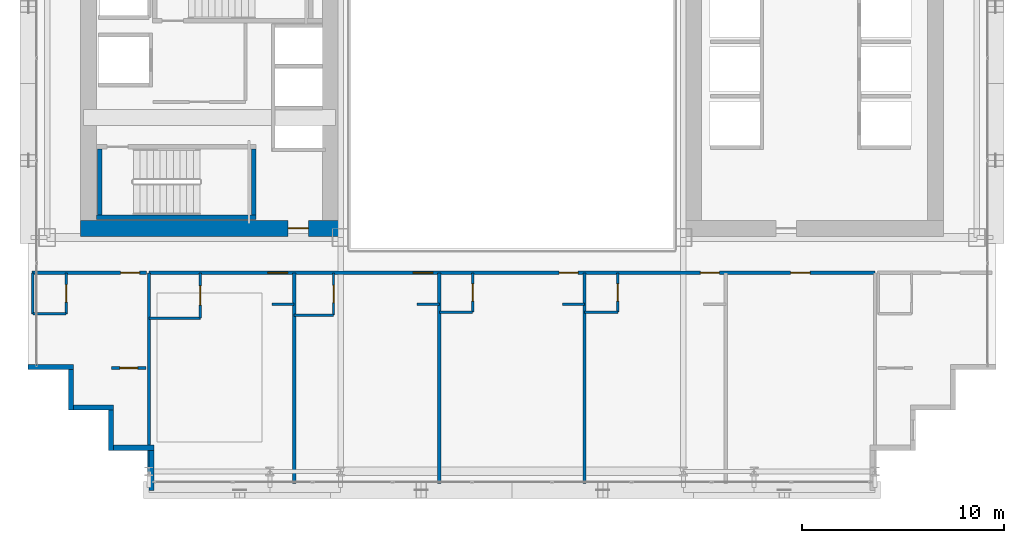
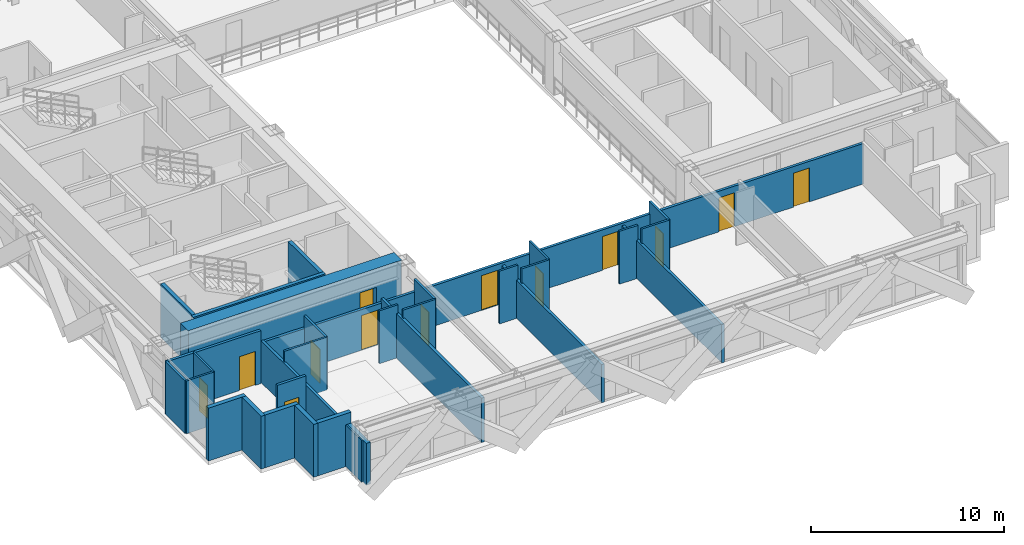
# One storey, part 27 of 35: 31 walls, 13 doors, 13 openings.
"""IFC4 building model written with IfcOpenShell, lengths in metres."""

from ifc_helpers import new_model, si_unit, direction, frame, frame_2d, origin, place, context, subcontext, project, spatial, rectangle, extrude, source, transform, mapped, material, layer, layer_set, type_object, element, fill, save


model = new_model("IFC4")

# Units and contexts
model_context = context("Model", 3, precision=1e-05, world=origin(), true_north=direction((0.0, 1.0)))
body_context = subcontext(model_context, "Body", "Model", "MODEL_VIEW")
ifc_project = project(units=[si_unit("LENGTHUNIT", "METRE"), si_unit("AREAUNIT", "SQUARE_METRE"), si_unit("VOLUMEUNIT", "CUBIC_METRE"), si_unit("PLANEANGLEUNIT", "RADIAN"), si_unit("MASSUNIT", "GRAM", prefix="KILO")], contexts=[model_context])

# Site, building, storey
site_placement = place(None, origin())
site = spatial("IfcSite", under=ifc_project, at=site_placement, CompositionType="ELEMENT")
building_placement = place(site_placement, origin())
building = spatial("IfcBuilding", under=site, at=building_placement, Name="Ocotamira Hotel", CompositionType="ELEMENT")
storey_placement = place(building_placement, frame((0.0, 0.0, 78.0)))
storey = spatial("IfcBuildingStorey", under=building, at=storey_placement, Name="L19", CompositionType="ELEMENT", Elevation=78.0)

# Wall, opening, door
ifc_material_1 = material(Name="Concrete C60/75", Category="concrete")
ifc_layer_1 = layer(ifc_material_1, 0.800048828125)
ifc_layer_set_1 = layer_set([ifc_layer_1], Name="Concrete C60/75")
wall_type_1 = type_object("IfcWallType", Name="WL-CORE-800", PredefinedType="SHEAR", material=ifc_layer_set_1)
wall_1_placement = place(storey_placement, frame((10.60009765625, 15.0, 0.0), z_axis=(0.0, 0.0, 1.0), x_axis=(1.0, 0.0, 0.0)))
wall_1 = element("IfcWall", 1, at=wall_1_placement, inside=storey, type_object=wall_type_1, Name="L19 Shear Core Wall WCORE-S", PredefinedType="SHEAR", context=body_context, shape_type="SweptSolid", body=[
    extrude(rectangle(XDim=12.7998046875, YDim=0.800048828125, at=frame_2d((6.39990234375, 0.0))), origin(), (0.0, 0.0, 1.0), 3.35009765625),
])
opening_1_placement = place(wall_1_placement, frame((10.300048828125, 0.0, 0.0)))
opening_1 = element("IfcOpeningElement", 2, at=opening_1_placement, cuts=wall_1, Name="Opening D-FR2", PredefinedType="OPENING", context=body_context, shape_type="SweptSolid", body=[
    extrude(rectangle(XDim=1.0, YDim=2.14990234375, at=frame_2d((0.5, 1.074951171875))), frame((0.0, 0.41015625, 0.0), z_axis=(0.0, -1.0, 0.0), x_axis=(1.0, 0.0, 0.0)), (0.0, 0.0, 1.0), 0.820068359375),
])
ifc_material_2 = material(Name="Fire-rated acoustic timber-veneer door", Category="wood")
door_type_1 = type_object("IfcDoorType", Name="DR-FIRE-1000", OperationType="NOTDEFINED", PredefinedType="DOOR", material=ifc_material_2)
shared_shape_1 = source(origin(), body_context, "Body", "SweptSolid", [
    extrude(rectangle(XDim=1.0, YDim=2.14990234375, at=frame_2d((0.5, 1.074951171875))), frame((0.0, 0.02490234375, 0.0), z_axis=(0.0, -1.0, 0.0), x_axis=(1.0, 0.0, 0.0)), (0.0, 0.0, 1.0), 0.050048828125),
])
door_1_placement = place(opening_1_placement, origin())
door_1 = element("IfcDoor", 3, at=door_1_placement, inside=storey, type_object=door_type_1, Name="L19 Door ID-L19-WLOB-S-D [ID-L19-WLOB-S-D]", OperationType="SINGLE_SWING_LEFT", OverallHeight=2.14990234375, OverallWidth=1.0, PredefinedType="DOOR", context=body_context, shape_type="MappedRepresentation", body=[
    mapped(shared_shape_1, transform((0.0, 0.0, 0.0), scale=1.0)),
])
fill(opening_1, door_1)

# Walls
ifc_material_3 = material(Name="Precast concrete C45/55", Category="concrete")
ifc_layer_2 = layer(ifc_material_3, 0.25)
ifc_layer_set_2 = layer_set([ifc_layer_2], Name="Precast concrete C45/55")
wall_type_2 = type_object("IfcWallType", Name="WL-EXT-SER-250", PredefinedType="SOLIDWALL", material=ifc_layer_set_2)
wall_2_placement = place(storey_placement, frame((8.0, 8.125, 0.0), z_axis=(0.0, 0.0, 1.0), x_axis=(1.0, 0.0, 0.0)))
element("IfcWall", 4, at=wall_2_placement, inside=storey, type_object=wall_type_2, Name="L19 Serrated Corner Wall 19", PredefinedType="SOLIDWALL", context=body_context, shape_type="SweptSolid", body=[
    extrude(rectangle(XDim=2.25, YDim=0.25, at=frame_2d((1.125, 0.0))), origin(), (0.0, 0.0, 1.0), 3.35009765625),
])
for number, where, z_axis, x_axis, name in (
    (5, (10.125, 8.0, 0.0), (0.0, 0.0, 1.0), (0.0, -1.0, 0.0), "L19 Serrated Corner Wall 20"),
    (6, (10.25, 6.125, 0.0), (0.0, 0.0, 1.0), (1.0, 0.0, 0.0), "L19 Serrated Corner Wall 21"),
    (7, (12.125, 6.0, 0.0), (0.0, 0.0, 1.0), (0.0, -1.0, 0.0), "L19 Serrated Corner Wall 22"),
    (8, (12.25, 4.125, 0.0), (0.0, 0.0, 1.0), (1.0, 0.0, 0.0), "L19 Serrated Corner Wall 23"),
):
    element("IfcWall", number, at=place(storey_placement, frame(where, z_axis=z_axis, x_axis=x_axis)), inside=storey, type_object=wall_type_2, Name=name, PredefinedType="SOLIDWALL", context=body_context, shape_type="SweptSolid", body=[
        extrude(rectangle(XDim=2.0, YDim=0.25, at=frame_2d((1.0, 0.0))), origin(), (0.0, 0.0, 1.0), 3.35009765625),
    ])
wall_3_placement = place(storey_placement, frame((14.125, 4.0, 0.0), z_axis=(0.0, 0.0, 1.0), x_axis=(0.0, -1.0, 0.0)))
element("IfcWall", 9, at=wall_3_placement, inside=storey, type_object=wall_type_2, Name="L19 Serrated Corner Wall 24", PredefinedType="SOLIDWALL", context=body_context, shape_type="SweptSolid", body=[
    extrude(rectangle(XDim=2.0, YDim=0.25, at=frame_2d((1.0, 0.0))), origin(), (0.0, 0.0, 1.0), 2.656982421875),
])

# Wall, opening, door
ifc_material_4 = material(Name="Acoustic double-layer fire gypsum board partition", Category="gypsum")
ifc_layer_3 = layer(ifc_material_4, 0.159912109375)
ifc_layer_set_3 = layer_set([ifc_layer_3], Name="Acoustic double-layer fire gypsum board partition")
wall_type_3 = type_object("IfcWallType", Name="WL-FIRE-160", PredefinedType="PARTITIONING", material=ifc_layer_set_3)
wall_4_placement = place(storey_placement, frame((8.199951171875, 12.800048828125, 0.0), z_axis=(0.0, 0.0, 1.0), x_axis=(1.0, 0.0, 0.0)))
wall_4 = element("IfcWall", 10, at=wall_4_placement, inside=storey, type_object=wall_type_3, Name="L19 Interior Wall PW-L19-Z1E-CSW-CW", PredefinedType="PARTITIONING", context=body_context, shape_type="SweptSolid", body=[
    extrude(rectangle(XDim=5.679931640625, YDim=0.159912109375, at=frame_2d((2.83984375, 0.0))), origin(), (0.0, 0.0, 1.0), 3.35009765625),
])
opening_2_placement = place(wall_4_placement, frame((4.39990234375, 0.0, 0.0)))
opening_2 = element("IfcOpeningElement", 11, at=opening_2_placement, cuts=wall_4, Name="Opening D-GR1", PredefinedType="OPENING", context=body_context, shape_type="SweptSolid", body=[
    extrude(rectangle(XDim=0.93994140625, YDim=2.14990234375, at=frame_2d((0.469970703125, 1.074951171875))), frame((0.0, 0.08984375, 0.0), z_axis=(0.0, -1.0, 0.0), x_axis=(1.0, 0.0, 0.0)), (0.0, 0.0, 1.0), 0.179931640625),
])
ifc_material_5 = material(Name="Solid-core walnut suite entrance fire door", Category="wood")
door_type_2 = type_object("IfcDoorType", Name="DR-GUEST-940", OperationType="NOTDEFINED", PredefinedType="DOOR", material=ifc_material_5)
shared_shape_2 = source(origin(), body_context, "Body", "SweptSolid", [
    extrude(rectangle(XDim=0.93994140625, YDim=2.14990234375, at=frame_2d((0.469970703125, 1.074951171875))), frame((0.0, 0.02490234375, 0.0), z_axis=(0.0, -1.0, 0.0), x_axis=(1.0, 0.0, 0.0)), (0.0, 0.0, 1.0), 0.050048828125),
])
door_2_placement = place(opening_2_placement, origin())
door_2 = element("IfcDoor", 12, at=door_2_placement, inside=storey, type_object=door_type_2, Name="L19 Door ID-L19-Z1E-CSW-CD [ID-L19-Z1E-CSW-CD]", OperationType="SINGLE_SWING_RIGHT", OverallHeight=2.14990234375, OverallWidth=0.93994140625, PredefinedType="DOOR", context=body_context, shape_type="MappedRepresentation", body=[
    mapped(shared_shape_2, transform((0.0, 0.0, 0.0), scale=1.0)),
])
fill(opening_2, door_2)

wall_5_placement = place(storey_placement, frame((12.14990234375, 8.080078125, 0.0), z_axis=(0.0, 0.0, 1.0), x_axis=(1.0, 0.0, 0.0)))
wall_5 = element("IfcWall", 13, at=wall_5_placement, inside=storey, type_object=wall_type_3, Name="L19 Interior Wall PW-L19-Z1E-CSW2-CW", PredefinedType="PARTITIONING", context=body_context, shape_type="SweptSolid", body=[
    extrude(rectangle(XDim=1.7001953125, YDim=0.159912109375, at=frame_2d((0.85009765625, 0.0))), origin(), (0.0, 0.0, 1.0), 3.35009765625),
])
opening_3_placement = place(wall_5_placement, frame((0.409912109375, 0.0, 0.0)))
opening_3 = element("IfcOpeningElement", 14, at=opening_3_placement, cuts=wall_5, Name="Opening D-SV2", PredefinedType="OPENING", context=body_context, shape_type="SweptSolid", body=[
    extrude(rectangle(XDim=0.8798828125, YDim=2.14990234375, at=frame_2d((0.43994140625, 1.074951171875))), frame((0.0, 0.08984375, 0.0), z_axis=(0.0, -1.0, 0.0), x_axis=(1.0, 0.0, 0.0)), (0.0, 0.0, 1.0), 0.179931640625),
])
ifc_material_6 = material(Name="Fire-rated painted steel service door", Category="steel")
door_type_3 = type_object("IfcDoorType", Name="DR-SERV-880", OperationType="NOTDEFINED", PredefinedType="DOOR", material=ifc_material_6)
shared_shape_3 = source(origin(), body_context, "Body", "SweptSolid", [
    extrude(rectangle(XDim=0.8798828125, YDim=2.14990234375, at=frame_2d((0.43994140625, 1.074951171875))), frame((0.0, 0.02490234375, 0.0), z_axis=(0.0, -1.0, 0.0), x_axis=(1.0, 0.0, 0.0)), (0.0, 0.0, 1.0), 0.050048828125),
])
door_3_placement = place(opening_3_placement, origin())
door_3 = element("IfcDoor", 15, at=door_3_placement, inside=storey, type_object=door_type_3, Name="L19 Door ID-L19-Z1E-CSW2-CD [ID-L19-Z1E-CSW2-CD]", OperationType="SINGLE_SWING_LEFT", OverallHeight=2.14990234375, OverallWidth=0.8798828125, PredefinedType="DOOR", context=body_context, shape_type="MappedRepresentation", body=[
    mapped(shared_shape_3, transform((0.0, 0.0, 0.0), scale=1.0)),
])
fill(opening_3, door_3)

# Wall, openings, doors
wall_6_placement = place(storey_placement, frame((14.0, 12.800048828125, 0.0), z_axis=(0.0, 0.0, 1.0), x_axis=(1.0, 0.0, 0.0)))
wall_6 = element("IfcWall", 16, at=wall_6_placement, inside=storey, type_object=wall_type_3, Name="L19 Interior Wall PW-L19-Z1ES-CORRW", PredefinedType="PARTITIONING", context=body_context, shape_type="SweptSolid", body=[
    extrude(rectangle(XDim=36.0, YDim=0.159912109375, at=frame_2d((18.0, 0.0))), origin(), (0.0, 0.0, 1.0), 2.571044921875),
])
opening_4_placement = place(wall_6_placement, frame((5.89990234375, 0.0, 0.0)))
opening_4 = element("IfcOpeningElement", 17, at=opening_4_placement, cuts=wall_6, Name="Opening D-GR2", PredefinedType="OPENING", context=body_context, shape_type="SweptSolid", body=[
    extrude(rectangle(XDim=0.97998046875, YDim=2.199951171875, at=frame_2d((0.489990234375, 1.10009765625))), frame((0.0, 0.08984375, 0.0), z_axis=(0.0, -1.0, 0.0), x_axis=(1.0, 0.0, 0.0)), (0.0, 0.0, 1.0), 0.179931640625),
])
opening_5_placement = place(wall_6_placement, frame((13.10009765625, 0.0, 0.0)))
opening_5 = element("IfcOpeningElement", 18, at=opening_5_placement, cuts=wall_6, Name="Opening D-GR2", PredefinedType="OPENING", context=body_context, shape_type="SweptSolid", body=[
    extrude(rectangle(XDim=0.97998046875, YDim=2.199951171875, at=frame_2d((0.489990234375, 1.10009765625))), frame((0.0, 0.08984375, 0.0), z_axis=(0.0, -1.0, 0.0), x_axis=(1.0, 0.0, 0.0)), (0.0, 0.0, 1.0), 0.179931640625),
])
opening_6_placement = place(wall_6_placement, frame((20.340087890625, 0.0, 0.0)))
opening_6 = element("IfcOpeningElement", 19, at=opening_6_placement, cuts=wall_6, Name="Opening D-GR1", PredefinedType="OPENING", context=body_context, shape_type="SweptSolid", body=[
    extrude(rectangle(XDim=0.93994140625, YDim=2.14990234375, at=frame_2d((0.469970703125, 1.074951171875))), frame((0.0, 0.08984375, 0.0), z_axis=(0.0, -1.0, 0.0), x_axis=(1.0, 0.0, 0.0)), (0.0, 0.0, 1.0), 0.179931640625),
])
opening_7_placement = place(wall_6_placement, frame((27.340087890625, 0.0, 0.0)))
opening_7 = element("IfcOpeningElement", 20, at=opening_7_placement, cuts=wall_6, Name="Opening D-GR1", PredefinedType="OPENING", context=body_context, shape_type="SweptSolid", body=[
    extrude(rectangle(XDim=0.93994140625, YDim=2.14990234375, at=frame_2d((0.469970703125, 1.074951171875))), frame((0.0, 0.08984375, 0.0), z_axis=(0.0, -1.0, 0.0), x_axis=(1.0, 0.0, 0.0)), (0.0, 0.0, 1.0), 0.179931640625),
])
opening_8_placement = place(wall_6_placement, frame((31.820068359375, 0.0, 0.0)))
opening_8 = element("IfcOpeningElement", 21, at=opening_8_placement, cuts=wall_6, Name="Opening D-SV4", PredefinedType="OPENING", context=body_context, shape_type="SweptSolid", body=[
    extrude(rectangle(XDim=0.9599609375, YDim=2.14990234375, at=frame_2d((0.47998046875, 1.074951171875))), frame((0.0, 0.08984375, 0.0), z_axis=(0.0, -1.0, 0.0), x_axis=(1.0, 0.0, 0.0)), (0.0, 0.0, 1.0), 0.179931640625),
])
ifc_material_7 = material(Name="Fire-rated accessible walnut salon door", Category="wood")
door_type_4 = type_object("IfcDoorType", Name="DR-SERV-960", OperationType="NOTDEFINED", PredefinedType="DOOR", material=ifc_material_7)
shared_shape_4 = source(origin(), body_context, "Body", "SweptSolid", [
    extrude(rectangle(XDim=0.9599609375, YDim=2.14990234375, at=frame_2d((0.47998046875, 1.074951171875))), frame((0.0, 0.02490234375, 0.0), z_axis=(0.0, -1.0, 0.0), x_axis=(1.0, 0.0, 0.0)), (0.0, 0.0, 1.0), 0.050048828125),
])
door_4_placement = place(opening_8_placement, origin())
door_4 = element("IfcDoor", 22, at=door_4_placement, inside=storey, type_object=door_type_4, Name="L19 Door ID-L19-Z1ES-AMD5 [ID-L19-Z1ES-AMD5]", OperationType="SINGLE_SWING_LEFT", OverallHeight=2.14990234375, OverallWidth=0.9599609375, PredefinedType="DOOR", context=body_context, shape_type="MappedRepresentation", body=[
    mapped(shared_shape_4, transform((0.0, 0.0, 0.0), scale=1.0)),
])
fill(opening_8, door_4)
door_5_placement = place(opening_6_placement, origin())
door_5 = element("IfcDoor", 23, at=door_5_placement, inside=storey, type_object=door_type_2, Name="L19 Door ID-L19-Z1ES-RMD3 [ID-L19-Z1ES-RMD3]", OperationType="SINGLE_SWING_LEFT", OverallHeight=2.14990234375, OverallWidth=0.93994140625, PredefinedType="DOOR", context=body_context, shape_type="MappedRepresentation", body=[
    mapped(shared_shape_2, transform((0.0, 0.0, 0.0), scale=1.0)),
])
fill(opening_6, door_5)
door_6_placement = place(opening_7_placement, origin())
door_6 = element("IfcDoor", 24, at=door_6_placement, inside=storey, type_object=door_type_2, Name="L19 Door ID-L19-Z1ES-RMD4 [ID-L19-Z1ES-RMD4]", OperationType="SINGLE_SWING_RIGHT", OverallHeight=2.14990234375, OverallWidth=0.93994140625, PredefinedType="DOOR", context=body_context, shape_type="MappedRepresentation", body=[
    mapped(shared_shape_2, transform((0.0, 0.0, 0.0), scale=1.0)),
])
fill(opening_7, door_6)
ifc_material_8 = material(Name="Solid-core walnut grand-suite entrance fire door", Category="wood")
door_type_5 = type_object("IfcDoorType", Name="DR-GUEST-980", OperationType="NOTDEFINED", PredefinedType="DOOR", material=ifc_material_8)
shared_shape_5 = source(origin(), body_context, "Body", "SweptSolid", [
    extrude(rectangle(XDim=0.97998046875, YDim=2.199951171875, at=frame_2d((0.489990234375, 1.10009765625))), frame((0.0, 0.02490234375, 0.0), z_axis=(0.0, -1.0, 0.0), x_axis=(1.0, 0.0, 0.0)), (0.0, 0.0, 1.0), 0.050048828125),
])
door_7_placement = place(opening_4_placement, origin())
door_7 = element("IfcDoor", 25, at=door_7_placement, inside=storey, type_object=door_type_5, Name="L19 Door ID-L19-Z1ES-RMD1 [ID-L19-Z1ES-RMD1]", OperationType="SINGLE_SWING_LEFT", OverallHeight=2.199951171875, OverallWidth=0.97998046875, PredefinedType="DOOR", context=body_context, shape_type="MappedRepresentation", body=[
    mapped(shared_shape_5, transform((0.0, 0.0, 0.0), scale=1.0)),
])
fill(opening_4, door_7)
door_8_placement = place(opening_5_placement, origin())
door_8 = element("IfcDoor", 26, at=door_8_placement, inside=storey, type_object=door_type_5, Name="L19 Door ID-L19-Z1ES-RMD2 [ID-L19-Z1ES-RMD2]", OperationType="SINGLE_SWING_RIGHT", OverallHeight=2.199951171875, OverallWidth=0.97998046875, PredefinedType="DOOR", context=body_context, shape_type="MappedRepresentation", body=[
    mapped(shared_shape_5, transform((0.0, 0.0, 0.0), scale=1.0)),
])
fill(opening_5, door_8)

# Wall, opening, door
ifc_material_9 = material(Name="Moisture-resistant en-suite tile and gypsum partition", Category="gypsum")
ifc_layer_4 = layer(ifc_material_9, 0.1201171875)
ifc_layer_set_4 = layer_set([ifc_layer_4], Name="Moisture-resistant en-suite tile and gypsum partition")
wall_type_4 = type_object("IfcWallType", Name="WL-PART-120", PredefinedType="PARTITIONING", material=ifc_layer_set_4)
wall_7_placement = place(storey_placement, frame((9.889892578125, 10.760009765625, 0.0), z_axis=(0.0, 0.0, 1.0), x_axis=(0.0, 1.0, 0.0)))
wall_7 = element("IfcWall", 27, at=wall_7_placement, inside=storey, type_object=wall_type_4, Name="L19 Interior Wall PW-L19-Z1E-CSW-BE", PredefinedType="PARTITIONING", context=body_context, shape_type="SweptSolid", body=[
    extrude(rectangle(XDim=2.0400390625, YDim=0.1201171875, at=frame_2d((1.02001953125, 0.0))), origin(), (0.0, 0.0, 1.0), 3.35009765625),
])
opening_9_placement = place(wall_7_placement, frame((0.590087890625, 0.0, 0.0)))
opening_9 = element("IfcOpeningElement", 28, at=opening_9_placement, cuts=wall_7, Name="Opening D-BA1", PredefinedType="OPENING", context=body_context, shape_type="SweptSolid", body=[
    extrude(rectangle(XDim=0.860107421875, YDim=2.10009765625, at=frame_2d((0.43017578125, 1.050048828125))), frame((0.0, 0.070068359375, 0.0), z_axis=(0.0, -1.0, 0.0), x_axis=(1.0, 0.0, 0.0)), (0.0, 0.0, 1.0), 0.14013671875),
])
ifc_material_10 = material(Name="Moisture-sealed en-suite timber door", Category="wood")
door_type_6 = type_object("IfcDoorType", Name="DR-BATH-860", OperationType="NOTDEFINED", PredefinedType="DOOR", material=ifc_material_10)
shared_shape_6 = source(origin(), body_context, "Body", "SweptSolid", [
    extrude(rectangle(XDim=0.860107421875, YDim=2.10009765625, at=frame_2d((0.43017578125, 1.050048828125))), frame((0.0, 0.02490234375, 0.0), z_axis=(0.0, -1.0, 0.0), x_axis=(1.0, 0.0, 0.0)), (0.0, 0.0, 1.0), 0.050048828125),
])
door_9_placement = place(opening_9_placement, origin())
door_9 = element("IfcDoor", 29, at=door_9_placement, inside=storey, type_object=door_type_6, Name="L19 Door ID-L19-Z1E-CSW-BD [ID-L19-Z1E-CSW-BD]", OperationType="SINGLE_SWING_LEFT", OverallHeight=2.10009765625, OverallWidth=0.860107421875, PredefinedType="DOOR", context=body_context, shape_type="MappedRepresentation", body=[
    mapped(shared_shape_6, transform((0.0, 0.0, 0.0), scale=1.0)),
])
fill(opening_9, door_9)

# Walls
wall_8_placement = place(storey_placement, frame((8.239990234375, 10.760009765625, 0.0), z_axis=(0.0, 0.0, 1.0), x_axis=(0.0, 1.0, 0.0)))
element("IfcWall", 30, at=wall_8_placement, inside=storey, type_object=wall_type_4, Name="L19 Interior Wall PW-L19-Z1E-CSW-BW", PredefinedType="PARTITIONING", context=body_context, shape_type="SweptSolid", body=[
    extrude(rectangle(XDim=2.0400390625, YDim=0.1201171875, at=frame_2d((1.02001953125, 0.0))), origin(), (0.0, 0.0, 1.0), 3.35009765625),
])
wall_9_placement = place(storey_placement, frame((8.239990234375, 10.760009765625, 0.0), z_axis=(0.0, 0.0, 1.0), x_axis=(1.0, 0.0, 0.0)))
element("IfcWall", 31, at=wall_9_placement, inside=storey, type_object=wall_type_4, Name="L19 Interior Wall PW-L19-Z1E-CSW-BH", PredefinedType="PARTITIONING", context=body_context, shape_type="SweptSolid", body=[
    extrude(rectangle(XDim=1.64990234375, YDim=0.1201171875, at=frame_2d((0.824951171875, 0.0))), origin(), (0.0, 0.0, 1.0), 3.35009765625),
])

# Wall, opening, door
wall_10_placement = place(storey_placement, frame((16.550048828125, 10.550048828125, 0.0), z_axis=(0.0, 0.0, 1.0), x_axis=(0.0, 1.0, 0.0)))
wall_10 = element("IfcWall", 32, at=wall_10_placement, inside=storey, type_object=wall_type_4, Name="L19 Interior Wall PW-L19-Z1ES-BAE1", PredefinedType="PARTITIONING", context=body_context, shape_type="SweptSolid", body=[
    extrude(rectangle(XDim=2.25, YDim=0.1201171875, at=frame_2d((1.125, 0.0))), origin(), (0.0, 0.0, 1.0), 3.35009765625),
])
opening_10_placement = place(wall_10_placement, frame((0.64501953125, 0.0, 0.0)))
opening_10 = element("IfcOpeningElement", 33, at=opening_10_placement, cuts=wall_10, Name="Opening D-IN1", PredefinedType="OPENING", context=body_context, shape_type="SweptSolid", body=[
    extrude(rectangle(XDim=0.9599609375, YDim=2.14990234375, at=frame_2d((0.47998046875, 1.074951171875))), frame((0.0, 0.070068359375, 0.0), z_axis=(0.0, -1.0, 0.0), x_axis=(1.0, 0.0, 0.0)), (0.0, 0.0, 1.0), 0.14013671875),
])
ifc_material_11 = material(Name="Accessible walnut interior room door", Category="wood")
door_type_7 = type_object("IfcDoorType", Name="DR-INT-960", OperationType="NOTDEFINED", PredefinedType="DOOR", material=ifc_material_11)
door_10_placement = place(opening_10_placement, origin())
door_10 = element("IfcDoor", 34, at=door_10_placement, inside=storey, type_object=door_type_7, Name="L19 Door ID-L19-Z1ES-BAD1 [ID-L19-Z1ES-BAD1]", OperationType="SINGLE_SWING_RIGHT", OverallHeight=2.14990234375, OverallWidth=0.9599609375, PredefinedType="DOOR", context=body_context, shape_type="MappedRepresentation", body=[
    mapped(shared_shape_4, transform((0.0, 0.0, 0.0), scale=1.0)),
])
fill(opening_10, door_10)

# Walls
wall_11_placement = place(storey_placement, frame((14.0, 10.550048828125, 0.0), z_axis=(0.0, 0.0, 1.0), x_axis=(1.0, 0.0, 0.0)))
element("IfcWall", 35, at=wall_11_placement, inside=storey, type_object=wall_type_4, Name="L19 Interior Wall PW-L19-Z1ES-BAS1", PredefinedType="PARTITIONING", context=body_context, shape_type="SweptSolid", body=[
    extrude(rectangle(XDim=2.550048828125, YDim=0.1201171875, at=frame_2d((1.27490234375, 0.0))), origin(), (0.0, 0.0, 1.0), 3.35009765625),
])
wall_12_placement = place(storey_placement, frame((20.10009765625, 11.25, 0.0), z_axis=(0.0, 0.0, 1.0), x_axis=(1.0, 0.0, 0.0)))
element("IfcWall", 36, at=wall_12_placement, inside=storey, type_object=wall_type_4, Name="L19 Interior Wall PW-L19-Z1ES-DRN1", PredefinedType="PARTITIONING", context=body_context, shape_type="SweptSolid", body=[
    extrude(rectangle(XDim=1.099853515625, YDim=0.1201171875, at=frame_2d((0.5498046875, 0.0))), origin(), (0.0, 0.0, 1.0), 3.35009765625),
])

# Wall, opening, door
wall_13_placement = place(storey_placement, frame((23.14990234375, 10.699951171875, 0.0), z_axis=(0.0, 0.0, 1.0), x_axis=(0.0, 1.0, 0.0)))
wall_13 = element("IfcWall", 37, at=wall_13_placement, inside=storey, type_object=wall_type_4, Name="L19 Interior Wall PW-L19-Z1ES-BAE2", PredefinedType="PARTITIONING", context=body_context, shape_type="SweptSolid", body=[
    extrude(rectangle(XDim=2.10009765625, YDim=0.1201171875, at=frame_2d((1.050048828125, 0.0))), origin(), (0.0, 0.0, 1.0), 3.35009765625),
])
opening_11_placement = place(wall_13_placement, frame((0.6201171875, 0.0, 0.0)))
opening_11 = element("IfcOpeningElement", 38, at=opening_11_placement, cuts=wall_13, Name="Opening D-BA1", PredefinedType="OPENING", context=body_context, shape_type="SweptSolid", body=[
    extrude(rectangle(XDim=0.860107421875, YDim=2.10009765625, at=frame_2d((0.43017578125, 1.050048828125))), frame((0.0, 0.070068359375, 0.0), z_axis=(0.0, -1.0, 0.0), x_axis=(1.0, 0.0, 0.0)), (0.0, 0.0, 1.0), 0.14013671875),
])
door_11_placement = place(opening_11_placement, origin())
door_11 = element("IfcDoor", 39, at=door_11_placement, inside=storey, type_object=door_type_6, Name="L19 Door ID-L19-Z1ES-BAD2 [ID-L19-Z1ES-BAD2]", OperationType="SINGLE_SWING_LEFT", OverallHeight=2.10009765625, OverallWidth=0.860107421875, PredefinedType="DOOR", context=body_context, shape_type="MappedRepresentation", body=[
    mapped(shared_shape_6, transform((0.0, 0.0, 0.0), scale=1.0)),
])
fill(opening_11, door_11)

# Walls
wall_14_placement = place(storey_placement, frame((21.199951171875, 10.699951171875, 0.0), z_axis=(0.0, 0.0, 1.0), x_axis=(1.0, 0.0, 0.0)))
element("IfcWall", 40, at=wall_14_placement, inside=storey, type_object=wall_type_4, Name="L19 Interior Wall PW-L19-Z1ES-BAS2", PredefinedType="PARTITIONING", context=body_context, shape_type="SweptSolid", body=[
    extrude(rectangle(XDim=1.949951171875, YDim=0.1201171875, at=frame_2d((0.97509765625, 0.0))), origin(), (0.0, 0.0, 1.0), 3.35009765625),
])
wall_15_placement = place(storey_placement, frame((27.300048828125, 11.25, 0.0), z_axis=(0.0, 0.0, 1.0), x_axis=(1.0, 0.0, 0.0)))
element("IfcWall", 41, at=wall_15_placement, inside=storey, type_object=wall_type_4, Name="L19 Interior Wall PW-L19-Z1ES-DRN2", PredefinedType="PARTITIONING", context=body_context, shape_type="SweptSolid", body=[
    extrude(rectangle(XDim=1.099853515625, YDim=0.1201171875, at=frame_2d((0.5498046875, 0.0))), origin(), (0.0, 0.0, 1.0), 3.35009765625),
])

# Wall, opening, door
wall_16_placement = place(storey_placement, frame((30.050048828125, 10.85009765625, 0.0), z_axis=(0.0, 0.0, 1.0), x_axis=(0.0, 1.0, 0.0)))
wall_16 = element("IfcWall", 42, at=wall_16_placement, inside=storey, type_object=wall_type_4, Name="L19 Interior Wall PW-L19-Z1ES-BAE3", PredefinedType="PARTITIONING", context=body_context, shape_type="SweptSolid", body=[
    extrude(rectangle(XDim=1.949951171875, YDim=0.1201171875, at=frame_2d((0.97509765625, 0.0))), origin(), (0.0, 0.0, 1.0), 3.35009765625),
])
opening_12_placement = place(wall_16_placement, frame((0.544921875, 0.0, 0.0)))
opening_12 = element("IfcOpeningElement", 43, at=opening_12_placement, cuts=wall_16, Name="Opening D-BA1", PredefinedType="OPENING", context=body_context, shape_type="SweptSolid", body=[
    extrude(rectangle(XDim=0.860107421875, YDim=2.10009765625, at=frame_2d((0.43017578125, 1.050048828125))), frame((0.0, 0.070068359375, 0.0), z_axis=(0.0, -1.0, 0.0), x_axis=(1.0, 0.0, 0.0)), (0.0, 0.0, 1.0), 0.14013671875),
])
door_12_placement = place(opening_12_placement, origin())
door_12 = element("IfcDoor", 44, at=door_12_placement, inside=storey, type_object=door_type_6, Name="L19 Door ID-L19-Z1ES-BAD3 [ID-L19-Z1ES-BAD3]", OperationType="SINGLE_SWING_RIGHT", OverallHeight=2.10009765625, OverallWidth=0.860107421875, PredefinedType="DOOR", context=body_context, shape_type="MappedRepresentation", body=[
    mapped(shared_shape_6, transform((0.0, 0.0, 0.0), scale=1.0)),
])
fill(opening_12, door_12)

# Walls
wall_17_placement = place(storey_placement, frame((28.39990234375, 10.85009765625, 0.0), z_axis=(0.0, 0.0, 1.0), x_axis=(1.0, 0.0, 0.0)))
element("IfcWall", 45, at=wall_17_placement, inside=storey, type_object=wall_type_4, Name="L19 Interior Wall PW-L19-Z1ES-BAS3", PredefinedType="PARTITIONING", context=body_context, shape_type="SweptSolid", body=[
    extrude(rectangle(XDim=1.650146484375, YDim=0.1201171875, at=frame_2d((0.8251953125, 0.0))), origin(), (0.0, 0.0, 1.0), 3.35009765625),
])
wall_18_placement = place(storey_placement, frame((34.5, 11.25, 0.0), z_axis=(0.0, 0.0, 1.0), x_axis=(1.0, 0.0, 0.0)))
element("IfcWall", 46, at=wall_18_placement, inside=storey, type_object=wall_type_4, Name="L19 Interior Wall PW-L19-Z1ES-DRN3", PredefinedType="PARTITIONING", context=body_context, shape_type="SweptSolid", body=[
    extrude(rectangle(XDim=1.10009765625, YDim=0.1201171875, at=frame_2d((0.550048828125, 0.0))), origin(), (0.0, 0.0, 1.0), 3.35009765625),
])

# Wall, opening, door
wall_19_placement = place(storey_placement, frame((37.25, 10.85009765625, 0.0), z_axis=(0.0, 0.0, 1.0), x_axis=(0.0, 1.0, 0.0)))
wall_19 = element("IfcWall", 47, at=wall_19_placement, inside=storey, type_object=wall_type_4, Name="L19 Interior Wall PW-L19-Z1ES-BAE4", PredefinedType="PARTITIONING", context=body_context, shape_type="SweptSolid", body=[
    extrude(rectangle(XDim=1.949951171875, YDim=0.1201171875, at=frame_2d((0.97509765625, 0.0))), origin(), (0.0, 0.0, 1.0), 3.35009765625),
])
opening_13_placement = place(wall_19_placement, frame((0.544921875, 0.0, 0.0)))
opening_13 = element("IfcOpeningElement", 48, at=opening_13_placement, cuts=wall_19, Name="Opening D-BA1", PredefinedType="OPENING", context=body_context, shape_type="SweptSolid", body=[
    extrude(rectangle(XDim=0.860107421875, YDim=2.10009765625, at=frame_2d((0.43017578125, 1.050048828125))), frame((0.0, 0.070068359375, 0.0), z_axis=(0.0, -1.0, 0.0), x_axis=(1.0, 0.0, 0.0)), (0.0, 0.0, 1.0), 0.14013671875),
])
door_13_placement = place(opening_13_placement, origin())
door_13 = element("IfcDoor", 49, at=door_13_placement, inside=storey, type_object=door_type_6, Name="L19 Door ID-L19-Z1ES-BAD4 [ID-L19-Z1ES-BAD4]", OperationType="SINGLE_SWING_LEFT", OverallHeight=2.10009765625, OverallWidth=0.860107421875, PredefinedType="DOOR", context=body_context, shape_type="MappedRepresentation", body=[
    mapped(shared_shape_6, transform((0.0, 0.0, 0.0), scale=1.0)),
])
fill(opening_13, door_13)

# Walls
wall_20_placement = place(storey_placement, frame((35.60009765625, 10.85009765625, 0.0), z_axis=(0.0, 0.0, 1.0), x_axis=(1.0, 0.0, 0.0)))
element("IfcWall", 50, at=wall_20_placement, inside=storey, type_object=wall_type_4, Name="L19 Interior Wall PW-L19-Z1ES-BAS4", PredefinedType="PARTITIONING", context=body_context, shape_type="SweptSolid", body=[
    extrude(rectangle(XDim=1.64990234375, YDim=0.1201171875, at=frame_2d((0.824951171875, 0.0))), origin(), (0.0, 0.0, 1.0), 3.35009765625),
])
ifc_material_12 = material(Name="Acoustic double-stud hospitality gypsum partition", Category="gypsum")
ifc_layer_5 = layer(ifc_material_12, 0.159912109375)
ifc_layer_set_5 = layer_set([ifc_layer_5], Name="Acoustic double-stud hospitality gypsum partition")
wall_type_5 = type_object("IfcWallType", Name="WL-PART-160", PredefinedType="PARTITIONING", material=ifc_layer_set_5)
wall_21_placement = place(storey_placement, frame((14.0, 2.360107421875, 0.0), z_axis=(0.0, 0.0, 1.0), x_axis=(0.0, 1.0, 0.0)))
element("IfcWall", 51, at=wall_21_placement, inside=storey, type_object=wall_type_5, Name="L19 Interior Wall PW-L19-Z1ES-PW0", PredefinedType="PARTITIONING", context=body_context, shape_type="SweptSolid", body=[
    extrude(rectangle(XDim=10.43994140625, YDim=0.159912109375, at=frame_2d((5.219970703125, 0.0))), origin(), (0.0, 0.0, 1.0), 2.656982421875),
])
wall_22_placement = place(storey_placement, frame((35.60009765625, 2.360107421875, 0.0), z_axis=(0.0, 0.0, 1.0), x_axis=(0.0, 1.0, 0.0)))
element("IfcWall", 52, at=wall_22_placement, inside=storey, type_object=wall_type_5, Name="L19 Interior Wall PW-L19-Z1ES-PW3", PredefinedType="PARTITIONING", context=body_context, shape_type="SweptSolid", body=[
    extrude(rectangle(XDim=10.43994140625, YDim=0.159912109375, at=frame_2d((5.219970703125, 0.0))), origin(), (0.0, 0.0, 1.0), 2.423095703125),
])
ifc_material_13 = material(Name="Double-stud suite party gypsum partition", Category="gypsum")
ifc_layer_6 = layer(ifc_material_13, 0.175048828125)
ifc_layer_set_6 = layer_set([ifc_layer_6], Name="Double-stud suite party gypsum partition")
wall_type_6 = type_object("IfcWallType", Name="WL-PART-175", PredefinedType="PARTITIONING", material=ifc_layer_set_6)
wall_23_placement = place(storey_placement, frame((21.199951171875, 2.360107421875, 0.0), z_axis=(0.0, 0.0, 1.0), x_axis=(0.0, 1.0, 0.0)))
element("IfcWall", 53, at=wall_23_placement, inside=storey, type_object=wall_type_6, Name="L19 Interior Wall PW-L19-Z1ES-PW1", PredefinedType="PARTITIONING", context=body_context, shape_type="SweptSolid", body=[
    extrude(rectangle(XDim=10.43994140625, YDim=0.175048828125, at=frame_2d((5.219970703125, 0.0))), origin(), (0.0, 0.0, 1.0), 2.81298828125),
])
wall_24_placement = place(storey_placement, frame((28.39990234375, 2.360107421875, 0.0), z_axis=(0.0, 0.0, 1.0), x_axis=(0.0, 1.0, 0.0)))
element("IfcWall", 54, at=wall_24_placement, inside=storey, type_object=wall_type_6, Name="L19 Interior Wall PW-L19-Z1ES-PW2", PredefinedType="PARTITIONING", context=body_context, shape_type="SweptSolid", body=[
    extrude(rectangle(XDim=10.43994140625, YDim=0.175048828125, at=frame_2d((5.219970703125, 0.0))), origin(), (0.0, 0.0, 1.0), 2.423095703125),
])
ifc_material_14 = material(Name="Concrete C50/60", Category="concrete")
ifc_layer_7 = layer(ifc_material_14, 0.219970703125)
ifc_layer_set_7 = layer_set([ifc_layer_7], Name="Concrete C50/60")
wall_type_7 = type_object("IfcWallType", Name="WL-STAIR-220", PredefinedType="SHEAR", material=ifc_layer_set_7)
wall_25_placement = place(storey_placement, frame((11.39990234375, 15.56005859375, 0.0), z_axis=(0.0, 0.0, 1.0), x_axis=(1.0, 0.0, 0.0)))
element("IfcWall", 55, at=wall_25_placement, inside=storey, type_object=wall_type_7, Name="L19 Stair Shaft Structural Wall ST-1-S", PredefinedType="SHEAR", context=body_context, shape_type="SweptSolid", body=[
    extrude(rectangle(XDim=7.91015625, YDim=0.219970703125, at=frame_2d((3.955078125, 0.0))), origin(), (0.0, 0.0, 1.0), 3.39990234375),
])
for number, where, z_axis, x_axis, name in (
    (56, (11.56005859375, 15.669921875, 0.0), (0.0, 0.0, 1.0), (0.0, 1.0, 0.0), "L19 Stair Shaft Structural Wall ST-1-W"),
    (57, (19.199951171875, 15.669921875, 0.0), (0.0, 0.0, 1.0), (0.0, 1.0, 0.0), "L19 Stair Shaft Structural Wall ST-1-E"),
):
    element("IfcWall", number, at=place(storey_placement, frame(where, z_axis=z_axis, x_axis=x_axis)), inside=storey, type_object=wall_type_7, Name=name, PredefinedType="SHEAR", context=body_context, shape_type="SweptSolid", body=[
        extrude(rectangle(XDim=3.280029296875, YDim=0.219970703125, at=frame_2d((1.64013671875, 0.0))), origin(), (0.0, 0.0, 1.0), 3.39990234375),
    ])

save(model, "model.ifc")
